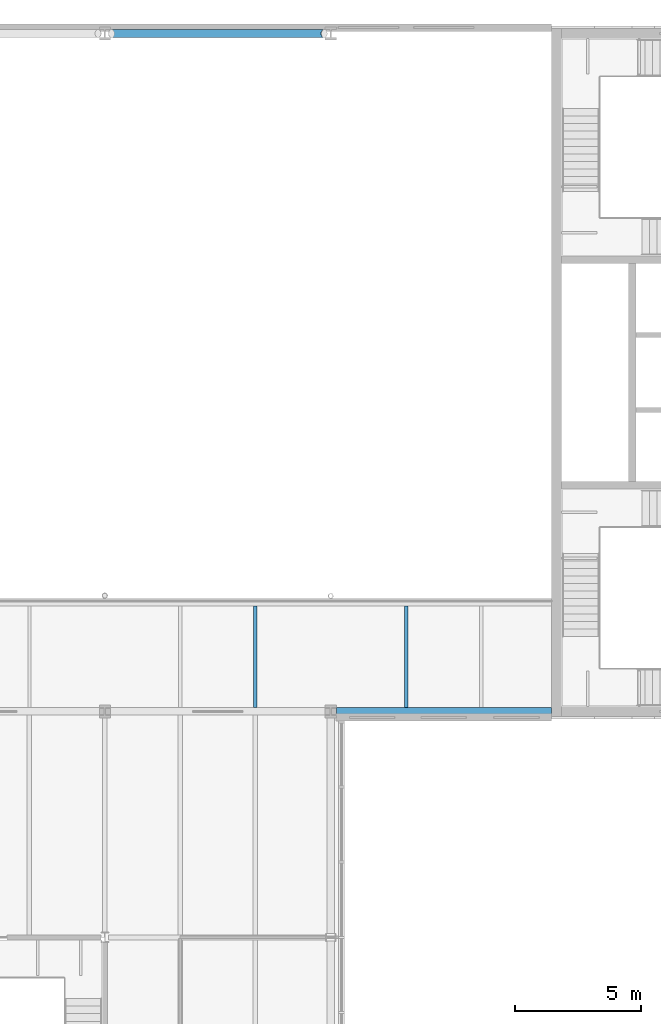
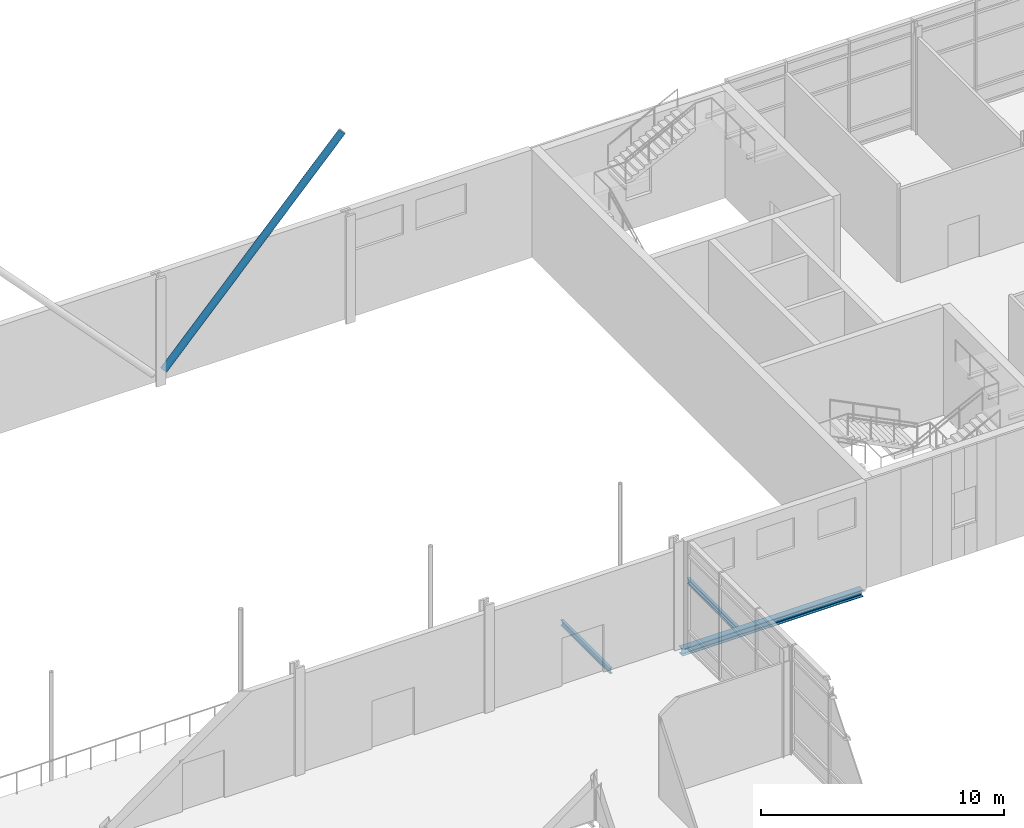
# One storey, part 23 of 56: 3 beams, 1 member.
"""IFC4 building model written with IfcOpenShell, lengths in metres."""

from ifc_helpers import new_model, si_unit, direction, frame, origin, origin_2d, place, context, subcontext, project, spatial, hollow_circle, i_section, extrude, material, material_profile, profile_set, type_object, element, save


model = new_model("IFC4")

# Units and contexts
model_context = context("Model", 3, precision=1e-05, world=origin(), true_north=direction((0.0, 1.0)))
body_context = subcontext(model_context, "Body", "Model", "MODEL_VIEW")
ifc_project = project(units=[si_unit("LENGTHUNIT", "METRE"), si_unit("AREAUNIT", "SQUARE_METRE"), si_unit("VOLUMEUNIT", "CUBIC_METRE"), si_unit("PLANEANGLEUNIT", "RADIAN"), si_unit("MASSUNIT", "GRAM", prefix="KILO")], contexts=[model_context])

# Site, building, storey
site_placement = place(None, origin())
site = spatial("IfcSite", under=ifc_project, at=site_placement, CompositionType="ELEMENT")
building_placement = place(site_placement, origin())
building = spatial("IfcBuilding", under=site, at=building_placement, Name="Azimuth Sports and Learning Centre", CompositionType="ELEMENT")
storey_placement = place(building_placement, frame((0.0, 0.0, 5.39990234375)))
storey = spatial("IfcBuildingStorey", under=building, at=storey_placement, Name="L01", CompositionType="ELEMENT", Elevation=5.39990234375)

# Member
ifc_material_1 = material(Name="Steel S355", Category="steel")
ifc_material_profile_1 = material_profile(ifc_material_1, hollow_circle(Radius=0.161865234375, WallThickness=0.012451171875, at=origin_2d()), Name="CHS 323.9x12.5")
ifc_profile_set_1 = profile_set([ifc_material_profile_1], Name="Steel S355")
member_type = type_object("IfcMemberType", Name="Brace CHS 323.9x12.5", PredefinedType="BRACE", material=ifc_profile_set_1)
member_placement = place(storey_placement, frame((90.27001953125, 117.0, 0.55224609375), z_axis=(0.685180930154, 0.0, 0.728372907893), x_axis=(0.0, 1.0, 0.0)))
element("IfcMember", 1, at=member_placement, inside=storey, type_object=member_type, Name="Hall brace 11-12 L01", PredefinedType="BRACE", context=body_context, shape_type="SweptSolid", body=[
    extrude(hollow_circle(Radius=0.161865234375, WallThickness=0.012451171875, at=origin_2d()), origin(), (0.0, 0.0, 1.0), 12.3505859375),
])

# Beams
ifc_material_2 = material(Name="Steel S355", Category="steel")
ifc_material_profile_2 = material_profile(ifc_material_2, i_section(OverallWidth=0.300048828125, OverallDepth=0.35009765625, WebThickness=0.010009765625, FlangeThickness=0.017578125, FilletRadius=0.027099609375, at=origin_2d()), Name="HEA 360")
ifc_profile_set_2 = profile_set([ifc_material_profile_2], Name="Steel S355")
beam_type_1 = type_object("IfcBeamType", Name="Edge beam HEA 360", PredefinedType="SPANDREL", material=ifc_profile_set_2)
beam_placement = place(storey_placement, frame((99.220947265625, 90.0, -0.324951171875), z_axis=(1.0, 0.0, 0.0), x_axis=(0.0, 1.0, 0.0)))
element("IfcBeam", 2, at=beam_placement, inside=storey, type_object=beam_type_1, Name="Edge beam L01 HG 2", PredefinedType="SPANDREL", context=body_context, shape_type="SweptSolid", body=[
    extrude(i_section(OverallWidth=0.300048828125, OverallDepth=0.35009765625, WebThickness=0.010009765625, FlangeThickness=0.017578125, FilletRadius=0.027099609375, at=origin_2d()), origin(), (0.0, 0.0, 1.0), 8.5791015625),
])
ifc_material_3 = material(Name="Steel S355", Category="steel")
ifc_material_profile_3 = material_profile(ifc_material_3, i_section(OverallWidth=0.135009765625, OverallDepth=0.27001953125, WebThickness=0.006591796875, FlangeThickness=0.01025390625, FilletRadius=0.014892578125, at=origin_2d()), Name="IPE 270")
ifc_profile_set_3 = profile_set([ifc_material_profile_3], Name="Steel S355")
beam_type_2 = type_object("IfcBeamType", Name="Joist IPE 270", PredefinedType="JOIST", material=ifc_profile_set_3)
for number, where, z_axis, x_axis, name in (
    (3, (96.0, 90.14990234375, -0.284912109375), (0.0, 1.0, 0.0), (-1.0, 0.0, 0.0), "Joist L01 HG 11"),
    (4, (102.0, 90.14990234375, -0.284912109375), (0.0, 1.0, 0.0), (-1.0, 0.0, 0.0), "Joist L01 HG 12"),
):
    element("IfcBeam", number, at=place(storey_placement, frame(where, z_axis=z_axis, x_axis=x_axis)), inside=storey, type_object=beam_type_2, Name=name, PredefinedType="JOIST", context=body_context, shape_type="SweptSolid", body=[
        extrude(i_section(OverallWidth=0.135009765625, OverallDepth=0.27001953125, WebThickness=0.006591796875, FlangeThickness=0.01025390625, FilletRadius=0.014892578125, at=origin_2d()), origin(), (0.0, 0.0, 1.0), 4.050048828125),
    ])

save(model, "model.ifc")
